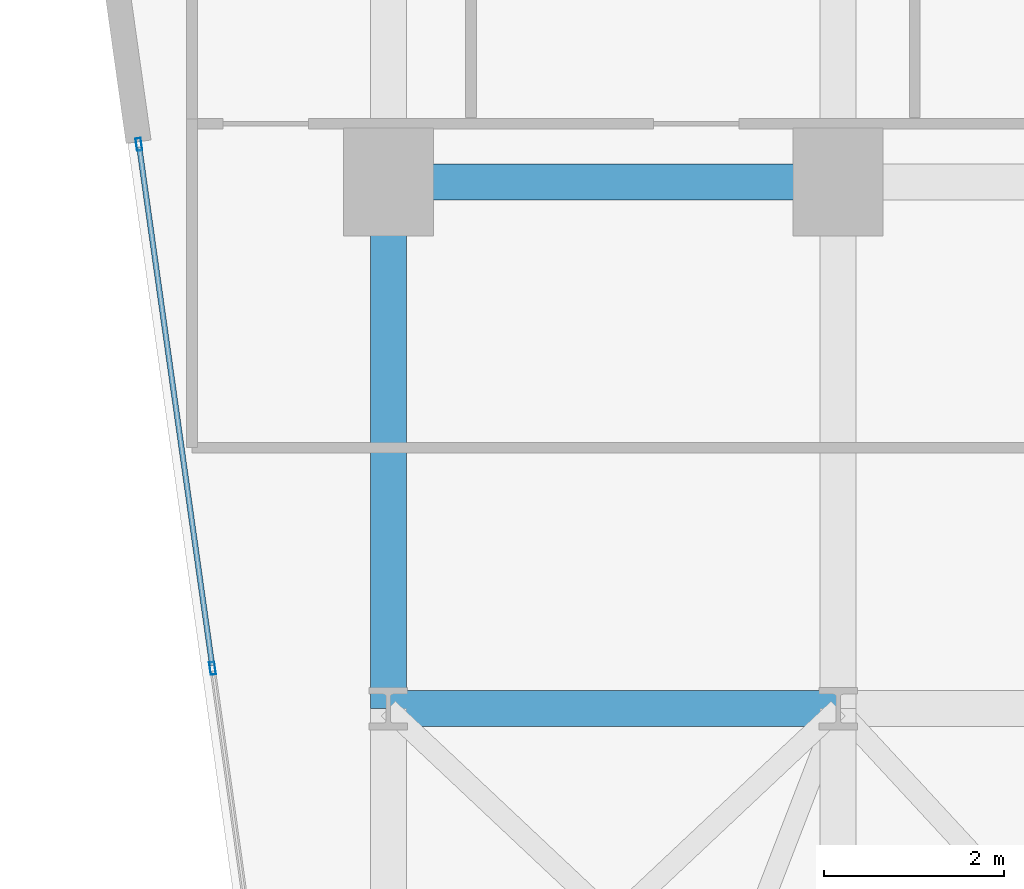
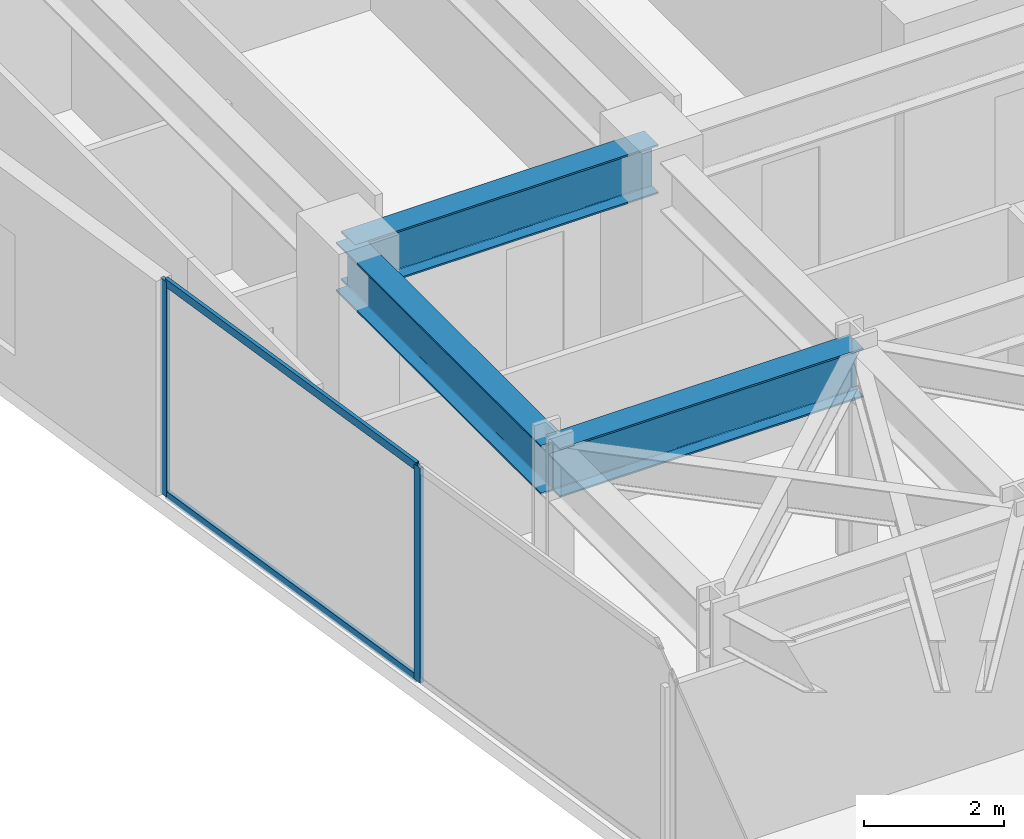
# One storey, part 11 of 26: 4 members, 3 beams, 1 element without a shape of its own.
"""IFC4 building model written with IfcOpenShell, lengths in metres."""

import ifcopenshell
import ifcopenshell.guid

model = None  # the IFC model being written
_history = None  # IfcOwnerHistory: only IFC2X3 demands one
_inside = {}  # id of a spatial element -> (the spatial element, [elements in it])
_under = {}  # id of a project, library or spatial element -> (it, [spatial elements below it])
_declared = {}  # id of a project -> (the project, [libraries it declares])
_typed = {}  # id of a type object -> (the type object, [elements of that type])
_made_of = {}  # id of a material, layer set ... -> (it, [elements and type objects made of it])


def new_model(schema):
    """Start an empty IFC model of exactly this schema.

    Asked for "IFC4X3", IfcOpenShell would pick the latest addendum, in which some entities
    have other attributes; the version numbers below select the first issue.
    IFC2X3 requires an IfcOwnerHistory on every rooted entity: one is made here for all.
    """
    global model, _history
    if schema == "IFC4X3":
        model = ifcopenshell.file(schema_version=(4, 3, 0, 0))
    else:
        model = ifcopenshell.file(schema=schema)
    _inside.clear()
    _under.clear()
    _declared.clear()
    _typed.clear()
    _made_of.clear()
    _history = None
    if model.schema == "IFC2X3":
        org = make("IfcOrganization", Name="unknown")
        user = make(
            "IfcPersonAndOrganization",
            ThePerson=make("IfcPerson", FamilyName="unknown"),
            TheOrganization=org,
        )
        app = make(
            "IfcApplication",
            ApplicationDeveloper=org,
            Version="unknown",
            ApplicationFullName="unknown",
            ApplicationIdentifier="unknown",
        )
        _history = make(
            "IfcOwnerHistory",
            OwningUser=user,
            OwningApplication=app,
            ChangeAction="ADDED",
            CreationDate=0,
        )
    return model


def make(cls, **values):
    """One entity of the class cls with the attributes given. An attribute that is None is left unset."""
    return model.create_entity(
        cls, **{name: value for name, value in values.items() if value is not None}
    )


def rooted(cls, **values):
    """An entity with a GlobalId (a new one), such as an element, a storey or a relation."""
    return make(cls, GlobalId=ifcopenshell.guid.new(), OwnerHistory=_history, **values)


def si_unit(unit_type, name, prefix=None):
    """IfcSIUnit, for example si_unit("LENGTHUNIT", "METRE", prefix="MILLI")."""
    return make("IfcSIUnit", UnitType=unit_type, Prefix=prefix, Name=name)


def assignment(units):
    """IfcUnitAssignment: the units of a project."""
    return None if units is None else make("IfcUnitAssignment", Units=units)


def point(xyz):
    """IfcCartesianPoint."""
    return None if xyz is None else make("IfcCartesianPoint", Coordinates=xyz)


def direction(xyz):
    """IfcDirection."""
    return None if xyz is None else make("IfcDirection", DirectionRatios=xyz)


def frame(location, z_axis=None, x_axis=None):
    """IfcAxis2Placement3D, a coordinate frame: its origin and axes. An axis left out is left unset."""
    return make(
        "IfcAxis2Placement3D",
        Location=point(location),
        Axis=direction(z_axis),
        RefDirection=direction(x_axis),
    )


def frame_2d(location, x_axis=None):
    """IfcAxis2Placement2D, a coordinate frame in the plane: its origin and x axis."""
    return make(
        "IfcAxis2Placement2D", Location=point(location), RefDirection=direction(x_axis)
    )


def origin():
    """The frame at (0, 0, 0) with its axes left unset."""
    return frame((0.0, 0.0, 0.0))


def origin_2d():
    """The frame at (0, 0) in the plane with its x axis left unset."""
    return frame_2d((0.0, 0.0))


def place(relative_to, where):
    """IfcLocalPlacement: puts the frame where relative to a parent placement (None: the world)."""
    return make(
        "IfcLocalPlacement", PlacementRelTo=relative_to, RelativePlacement=where
    )


def context(
    kind, dimensions, precision=None, world=None, true_north=None, identifier=None
):
    """IfcGeometricRepresentationContext, for example the 3D "Model" context."""
    return make(
        "IfcGeometricRepresentationContext",
        ContextIdentifier=identifier,
        ContextType=kind,
        CoordinateSpaceDimension=dimensions,
        Precision=precision,
        WorldCoordinateSystem=world,
        TrueNorth=true_north,
    )


def subcontext(parent, identifier, kind, view, scale=None):
    """IfcGeometricRepresentationSubContext, for example "Body" below "Model"."""
    return make(
        "IfcGeometricRepresentationSubContext",
        ContextIdentifier=identifier,
        ContextType=kind,
        ParentContext=parent,
        TargetScale=scale,
        TargetView=view,
    )


def project(units=None, contexts=None):
    """IfcProject with its units and contexts."""
    return rooted(
        "IfcProject",
        Name="project",
        RepresentationContexts=contexts,
        UnitsInContext=assignment(units),
    )


def spatial(cls, under=None, at=None, **own):
    """A site, building, storey or space (cls), placed at a placement, below another one or the project."""
    s = rooted(cls, ObjectPlacement=at, **own)
    if under is not None:
        _under.setdefault(under.id(), (under, []))[1].append(s)
    return s


def profile(cls, at=None, kind="AREA", **sizes):
    """A parametric profile (cls). Its sizes go by their IFC names, for example OverallWidth=200.0."""
    return make(cls, ProfileType=kind, Position=at, **sizes)


def hollow_rectangle(**sizes):
    """IfcRectangleHollowProfileDef."""
    return profile("IfcRectangleHollowProfileDef", **sizes)


def i_section(**sizes):
    """IfcIShapeProfileDef."""
    return profile("IfcIShapeProfileDef", **sizes)


def extrude(swept, where, along, depth):
    """IfcExtrudedAreaSolid: the profile swept, set in the frame where, extruded along a direction by depth."""
    return make(
        "IfcExtrudedAreaSolid",
        SweptArea=swept,
        Position=where,
        ExtrudedDirection=direction(along),
        Depth=depth,
    )


def shape(context_of_items, identifier, shape_type, items):
    """IfcShapeRepresentation: the items that make up one representation, for example the "Body"."""
    return make(
        "IfcShapeRepresentation",
        ContextOfItems=context_of_items,
        RepresentationIdentifier=identifier,
        RepresentationType=shape_type,
        Items=items,
    )


def material(Name=None, Category=None):
    """IfcMaterial."""
    return make("IfcMaterial", Name=Name, Category=Category)


def layer(
    of_material, thickness, ventilated=None, Name=None, Category=None, Priority=None
):
    """IfcMaterialLayer: one layer of a wall or slab, of a material (None: an air gap)."""
    return make(
        "IfcMaterialLayer",
        Material=of_material,
        LayerThickness=thickness,
        IsVentilated=ventilated,
        Name=Name,
        Category=Category,
        Priority=Priority,
    )


def layer_set(layers, Name=None):
    """IfcMaterialLayerSet."""
    return make("IfcMaterialLayerSet", MaterialLayers=layers, LayerSetName=Name)


def material_profile(
    of_material, cross_section, Name=None, Category=None, Priority=None
):
    """IfcMaterialProfile: a cross section and its material."""
    return make(
        "IfcMaterialProfile",
        Name=Name,
        Material=of_material,
        Profile=cross_section,
        Priority=Priority,
        Category=Category,
    )


def profile_set(profiles, Name=None, composite=None):
    """IfcMaterialProfileSet."""
    return make(
        "IfcMaterialProfileSet",
        Name=Name,
        MaterialProfiles=profiles,
        CompositeProfile=composite,
    )


def made_of(thing, what):
    """Note that an element or type object is made of a material, layer set ...; save() writes the relation."""
    if what is not None:
        _made_of.setdefault(what.id(), (what, []))[1].append(thing)
    return thing


def type_object(cls, material=None, **own):
    """A type object (cls), such as IfcWallType, which elements share."""
    return made_of(rooted(cls, **own), material)


def element(
    cls,
    number,
    at=None,
    inside=None,
    cuts=None,
    type_object=None,
    material=None,
    context=None,
    identifier="Body",
    shape_type=None,
    held_by="IfcProductDefinitionShape",
    body=None,
    shapes=None,
    **own,
):
    """One element of the class cls, such as IfcWall. Its Tag is "e" and its number.

    at: its placement. inside: the storey or other place that contains it. cuts: it is an
    opening in that element (IfcRelVoidsElement). A single representation is given by context,
    identifier, shape_type and body (its items); several are given by shapes. held_by: the class
    of the entity that holds the representations. save() writes the other relations.
    """
    e = rooted(cls, Tag="e%d" % number, ObjectPlacement=at, **own)
    if body is not None:
        shapes = [shape(context, identifier, shape_type, body)]
    if shapes is not None:
        e.Representation = make(held_by, Representations=shapes)
    if inside is not None:
        _inside.setdefault(inside.id(), (inside, []))[1].append(e)
    if cuts is not None:
        rooted(
            "IfcRelVoidsElement", RelatingBuildingElement=cuts, RelatedOpeningElement=e
        )
    if type_object is not None:
        _typed.setdefault(type_object.id(), (type_object, []))[1].append(e)
    return made_of(e, material)


def aggregate(whole, parts):
    """IfcRelAggregates: a whole, such as a stair, and the parts it consists of."""
    return rooted("IfcRelAggregates", RelatingObject=whole, RelatedObjects=parts)


def save(model, path):
    """Write the relations noted so far, then the file.

    IfcRelAggregates (storeys below a building ...), IfcRelContainedInSpatialStructure (elements
    in a storey), IfcRelDefinesByType, IfcRelAssociatesMaterial and IfcRelDeclares: one each for
    every whole, place, type object, material and project.
    """
    for whole, parts in _under.values():
        aggregate(whole, parts)
    for where, things in _inside.values():
        rooted(
            "IfcRelContainedInSpatialStructure",
            RelatedElements=things,
            RelatingStructure=where,
        )
    for kind, things in _typed.values():
        rooted("IfcRelDefinesByType", RelatedObjects=things, RelatingType=kind)
    for what, things in _made_of.values():
        rooted("IfcRelAssociatesMaterial", RelatedObjects=things, RelatingMaterial=what)
    for by, libraries in _declared.values():
        rooted("IfcRelDeclares", RelatingContext=by, RelatedDefinitions=libraries)
    model.write(path)


model = new_model("IFC4")

# Units and contexts
model_context = context("Model", 3, precision=1e-05, world=origin(), true_north=direction((0.0, 1.0)))
body_context = subcontext(model_context, "Body", "Model", "MODEL_VIEW")
ifc_project = project(units=[si_unit("LENGTHUNIT", "METRE"), si_unit("AREAUNIT", "SQUARE_METRE"), si_unit("VOLUMEUNIT", "CUBIC_METRE"), si_unit("PLANEANGLEUNIT", "RADIAN"), si_unit("MASSUNIT", "GRAM", prefix="KILO")], contexts=[model_context])

# Site, building, storey
site_placement = place(None, origin())
site = spatial("IfcSite", under=ifc_project, at=site_placement, CompositionType="ELEMENT")
building_placement = place(site_placement, origin())
building = spatial("IfcBuilding", under=site, at=building_placement, Name="Kravanh Interchange Tower", CompositionType="ELEMENT")
storey_placement = place(building_placement, frame((0.0, 0.0, 116.0)))
storey = spatial("IfcBuildingStorey", under=building, at=storey_placement, Name="L27", CompositionType="ELEMENT", Elevation=116.0)

# Curtain wall, members
ifc_material_1 = material(Name="Anodised Bronze Aluminium", Category="aluminium")
ifc_layer = layer(ifc_material_1, 0.179931640625)
ifc_layer_set = layer_set([ifc_layer], Name="Unitised Curtain Wall System CW-Z2 Mid Office")
curtain_wall_type = type_object("IfcCurtainWallType", Name="Unitised Curtain Wall System CW-Z2 Mid Office", PredefinedType="NOTDEFINED", material=ifc_layer_set)
curtain_wall_placement = place(storey_placement, origin())
curtain_wall = element("IfcCurtainWall", 1, at=curtain_wall_placement, inside=storey, type_object=curtain_wall_type, Name="L27 Unitised Curtain Wall CW-L27-01", PredefinedType="NOTDEFINED")
ifc_material_2 = material(Name="Anodised Bronze Aluminium", Category="aluminium")
ifc_material_profile_1 = material_profile(ifc_material_2, hollow_rectangle(XDim=0.06005859375, YDim=0.139892578125, WallThickness=0.00390625, at=origin_2d()), Name="ALU60X140X4")
ifc_profile_set_1 = profile_set([ifc_material_profile_1], Name="Anodised Bronze Aluminium")
member_type_1 = type_object("IfcMemberType", Name="Curtain Wall Mullion ALU60X140X4 Bronze", PredefinedType="MULLION", material=ifc_profile_set_1)
member_1_placement = place(storey_placement, frame((11.6474609375, 31.94775390625, 0.0), z_axis=(0.0, 0.0, 1.0), x_axis=(-0.990268103846, -0.13917285118, 0.0)))
member_1 = element("IfcMember", 2, at=member_1_placement, type_object=member_type_1, Name="CW-Z2 mullion 5", PredefinedType="MULLION", context=body_context, shape_type="SweptSolid", body=[
    extrude(hollow_rectangle(XDim=0.06005859375, YDim=0.139892578125, WallThickness=0.00390625, at=origin_2d()), origin(), (0.0, 0.0, 1.0), 3.75),
])
member_2_placement = place(storey_placement, frame((10.8291015625, 37.770263671875, 0.0), z_axis=(0.0, 0.0, 1.0), x_axis=(-0.990268103846, -0.13917285118, 0.0)))
member_2 = element("IfcMember", 3, at=member_2_placement, type_object=member_type_1, Name="CW-Z2 mullion 6", PredefinedType="MULLION", context=body_context, shape_type="SweptSolid", body=[
    extrude(hollow_rectangle(XDim=0.06005859375, YDim=0.139892578125, WallThickness=0.00390625, at=origin_2d()), origin(), (0.0, 0.0, 1.0), 3.75),
])
ifc_material_3 = material(Name="Anodised Bronze Aluminium", Category="aluminium")
ifc_material_profile_2 = material_profile(ifc_material_3, hollow_rectangle(XDim=0.06005859375, YDim=0.139892578125, WallThickness=0.00390625, at=origin_2d()), Name="ALU60X140X4")
ifc_profile_set_2 = profile_set([ifc_material_profile_2], Name="Anodised Bronze Aluminium")
member_type_2 = type_object("IfcMemberType", Name="Curtain Wall Transom ALU60X140X4 Bronze", PredefinedType="USERDEFINED", material=ifc_profile_set_2)
member_3_placement = place(storey_placement, frame((11.643310546875, 31.9775390625, 0.030029296875), z_axis=(-0.139195052528, 0.990264983402, 0.0), x_axis=(-0.990264983402, -0.139195052528, 0.0)))
member_3 = element("IfcMember", 4, at=member_3_placement, type_object=member_type_2, Name="CW-Z2 transom 5.1", ObjectType="TRANSOM", PredefinedType="USERDEFINED", context=body_context, shape_type="SweptSolid", body=[
    extrude(hollow_rectangle(XDim=0.06005859375, YDim=0.139892578125, WallThickness=0.00390625, at=origin_2d()), origin(), (0.0, 0.0, 1.0), 5.819580078125),
])
member_4_placement = place(storey_placement, frame((11.643310546875, 31.9775390625, 3.719970703125), z_axis=(-0.139195052528, 0.990264983402, 0.0), x_axis=(-0.990264983402, -0.139195052528, 0.0)))
member_4 = element("IfcMember", 5, at=member_4_placement, type_object=member_type_2, Name="CW-Z2 transom 5.2", ObjectType="TRANSOM", PredefinedType="USERDEFINED", context=body_context, shape_type="SweptSolid", body=[
    extrude(hollow_rectangle(XDim=0.06005859375, YDim=0.139892578125, WallThickness=0.00390625, at=origin_2d()), origin(), (0.0, 0.0, 1.0), 5.819580078125),
])
aggregate(curtain_wall, [member_1, member_2, member_3, member_4])

# Beams
ifc_material_4 = material(Name="Structural Steel S355", Category="steel")
ifc_material_profile_3 = material_profile(ifc_material_4, i_section(OverallWidth=0.39990234375, OverallDepth=0.85595703125, WebThickness=0.018310546875, FlangeThickness=0.029296875, FilletRadius=0.02490234375, at=origin_2d()), Name="W33X201")
ifc_profile_set_3 = profile_set([ifc_material_profile_3], Name="Structural Steel S355")
beam_type = type_object("IfcBeamType", Name="Floor Beam W33X201 Structural Steel S355", PredefinedType="BEAM", material=ifc_profile_set_3)
beam_1_placement = place(storey_placement, frame((18.60009765625, 37.35009765625, 3.322021484375), z_axis=(-1.0, 0.0, 0.0), x_axis=(0.0, -1.0, 0.0)))
element("IfcBeam", 6, at=beam_1_placement, inside=storey, type_object=beam_type, Name="L27 Primary Floor Girder 28", PredefinedType="BEAM", context=body_context, shape_type="SweptSolid", body=[
    extrude(i_section(OverallWidth=0.39990234375, OverallDepth=0.85595703125, WebThickness=0.018310546875, FlangeThickness=0.029296875, FilletRadius=0.02490234375, at=origin_2d()), origin(), (0.0, 0.0, 1.0), 5.0),
])
beam_2_placement = place(storey_placement, frame((13.60009765625, 37.35009765625, 3.322021484375), z_axis=(0.0, -1.0, 0.0), x_axis=(1.0, 0.0, 0.0)))
element("IfcBeam", 7, at=beam_2_placement, inside=storey, type_object=beam_type, Name="L27 Primary Floor Girder 32", PredefinedType="BEAM", context=body_context, shape_type="SweptSolid", body=[
    extrude(i_section(OverallWidth=0.39990234375, OverallDepth=0.85595703125, WebThickness=0.018310546875, FlangeThickness=0.029296875, FilletRadius=0.02490234375, at=origin_2d()), origin(), (0.0, 0.0, 1.0), 5.85009765625),
])
beam_3_placement = place(storey_placement, frame((13.60009765625, 31.5, 3.322021484375), z_axis=(1.0, 0.0, 0.0), x_axis=(0.0, 1.0, 0.0)))
element("IfcBeam", 8, at=beam_3_placement, inside=storey, type_object=beam_type, Name="L27 Primary Floor Girder 69", PredefinedType="BEAM", context=body_context, shape_type="SweptSolid", body=[
    extrude(i_section(OverallWidth=0.39990234375, OverallDepth=0.85595703125, WebThickness=0.018310546875, FlangeThickness=0.029296875, FilletRadius=0.02490234375, at=origin_2d()), origin(), (0.0, 0.0, 1.0), 5.0),
])

save(model, "model.ifc")
